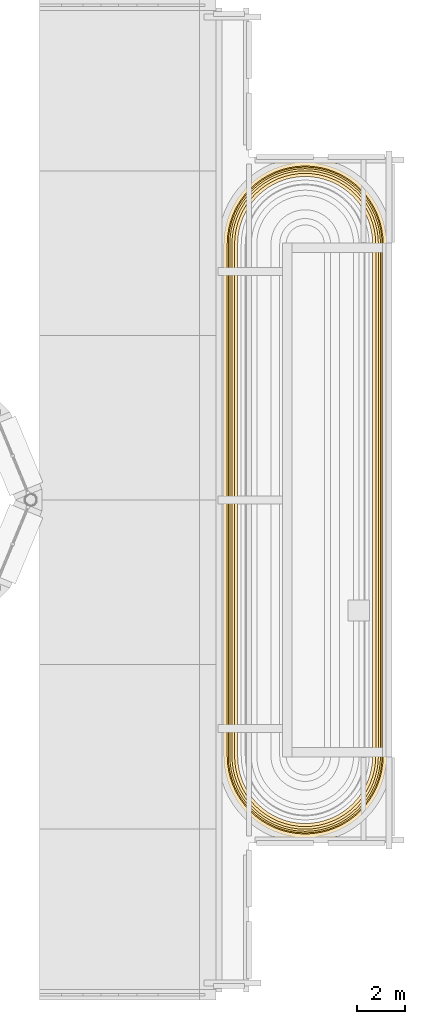
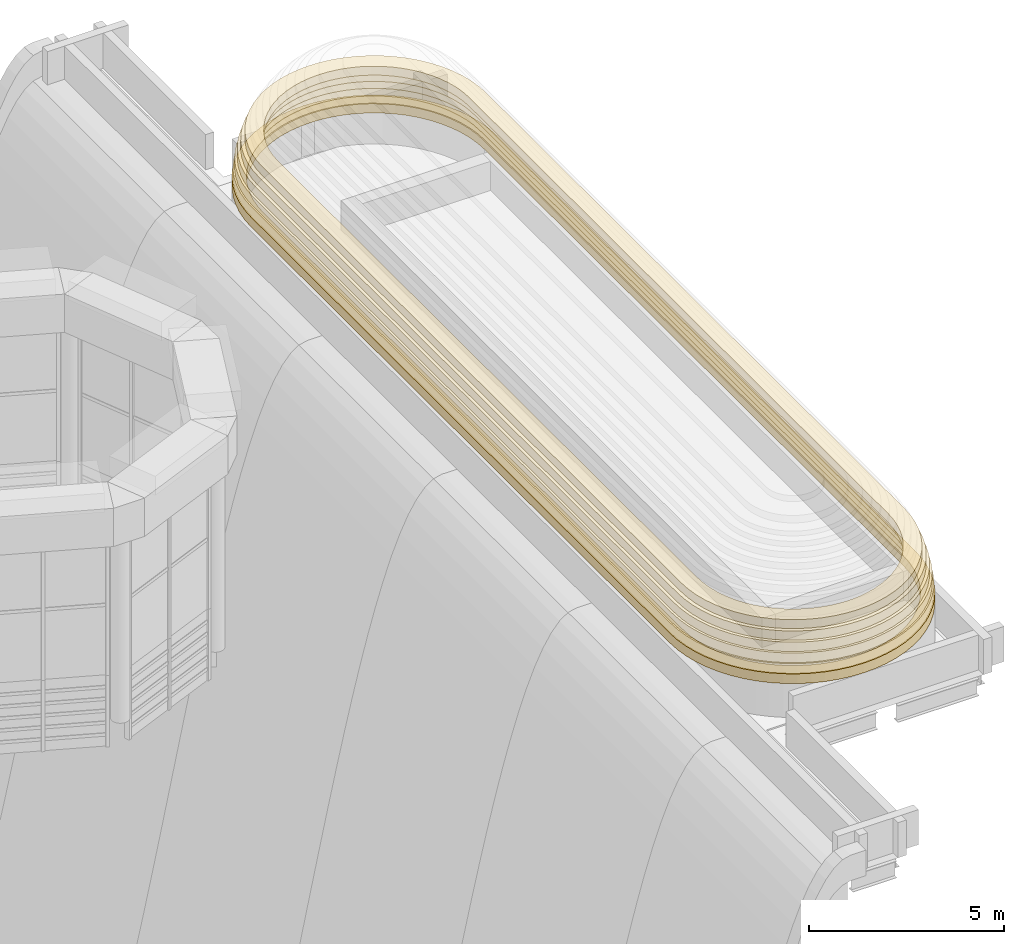
# One storey, part 12 of 14: 6 coverings.
"""IFC4 building model written with IfcOpenShell, lengths in metres."""

from ifc_helpers import new_model, si_unit, direction, frame, origin, place, context, subcontext, project, spatial, polyline, outline, extrude, material, layer, layer_set, type_object, element, save


model = new_model("IFC4")

# Units and contexts
model_context = context("Model", 3, precision=1e-05, world=origin(), true_north=direction((0.0, 1.0)))
body_context = subcontext(model_context, "Body", "Model", "MODEL_VIEW")
ifc_project = project(units=[si_unit("LENGTHUNIT", "METRE"), si_unit("AREAUNIT", "SQUARE_METRE"), si_unit("VOLUMEUNIT", "CUBIC_METRE"), si_unit("PLANEANGLEUNIT", "RADIAN"), si_unit("MASSUNIT", "GRAM", prefix="KILO")], contexts=[model_context])

# Site, building, storey
site_placement = place(None, origin())
site = spatial("IfcSite", under=ifc_project, at=site_placement, CompositionType="ELEMENT")
building_placement = place(site_placement, origin())
building = spatial("IfcBuilding", under=site, at=building_placement, Name="Cobrizo Arcos Hotel Tower", CompositionType="ELEMENT")
storey_placement = place(building_placement, frame((0.0, 0.0, 290.0)))
storey = spatial("IfcBuildingStorey", under=building, at=storey_placement, Name="RF", CompositionType="ELEMENT", Elevation=290.0)

# Coverings
ifc_material = material(Name="Aluminium 6063-T6 anodised pale", Category="aluminium")
ifc_layer = layer(ifc_material, 0.35009765625)
ifc_layer_set = layer_set([ifc_layer], Name="CB-7 shoulder roll course 350")
covering_type = type_object("IfcCoveringType", Name="CB-7 shoulder roll course 350", PredefinedType="CLADDING", material=ifc_layer_set)
covering_1_placement = place(storey_placement, frame((0.0, 0.0, 1.10009765625)))
element("IfcCovering", 1, at=covering_1_placement, inside=storey, type_object=covering_type, Name="Shoulder roll E course 1", PredefinedType="CLADDING", context=body_context, shape_type="SweptSolid", body=[
    extrude(outline(polyline([(13.102783203125, 10.75), (13.120361328125, 11.107421875), (13.1728515625, 11.46142578125), (13.260009765625, 11.80859375), (13.38037109375, 12.145751953125), (13.533447265625, 12.46923828125), (13.717529296875, 12.7763671875), (13.9306640625, 13.063720703125), (14.1708984375, 13.3291015625), (14.436279296875, 13.5693359375), (14.7236328125, 13.782470703125), (15.03076171875, 13.966552734375), (15.354248046875, 14.11962890625), (15.69140625, 14.239990234375), (16.03857421875, 14.3271484375), (16.392578125, 14.379638671875), (16.75, 14.397216796875), (17.107421875, 14.379638671875), (17.46142578125, 14.3271484375), (17.80859375, 14.239990234375), (18.145751953125, 14.11962890625), (18.46923828125, 13.966552734375), (18.7763671875, 13.782470703125), (19.063720703125, 13.5693359375), (19.3291015625, 13.3291015625), (19.5693359375, 13.063720703125), (19.782470703125, 12.7763671875), (19.966552734375, 12.46923828125), (20.11962890625, 12.145751953125), (20.239990234375, 11.80859375), (20.3271484375, 11.46142578125), (20.379638671875, 11.107421875), (20.397216796875, 10.75), (20.397216796875, -10.75), (20.379638671875, -11.107421875), (20.3271484375, -11.46142578125), (20.239990234375, -11.80859375), (20.11962890625, -12.145751953125), (19.966552734375, -12.46923828125), (19.782470703125, -12.7763671875), (19.5693359375, -13.063720703125), (19.3291015625, -13.3291015625), (19.063720703125, -13.5693359375), (18.7763671875, -13.782470703125), (18.46923828125, -13.966552734375), (18.145751953125, -14.11962890625), (17.80859375, -14.239990234375), (17.46142578125, -14.3271484375), (17.107421875, -14.379638671875), (16.75, -14.397216796875), (16.392578125, -14.379638671875), (16.03857421875, -14.3271484375), (15.69140625, -14.239990234375), (15.354248046875, -14.11962890625), (15.03076171875, -13.966552734375), (14.7236328125, -13.782470703125), (14.436279296875, -13.5693359375), (14.1708984375, -13.3291015625), (13.9306640625, -13.063720703125), (13.717529296875, -12.7763671875), (13.533447265625, -12.46923828125), (13.38037109375, -12.145751953125), (13.260009765625, -11.80859375), (13.1728515625, -11.46142578125), (13.120361328125, -11.107421875), (13.102783203125, -10.75), (13.102783203125, 10.75)]), holes=[polyline([(13.475341796875, 10.74072265625), (13.491455078125, 11.07080078125), (13.53857421875, 11.388916015625), (13.61669921875, 11.700439453125), (13.72509765625, 12.0029296875), (13.8623046875, 12.29345703125), (14.027587890625, 12.569091796875), (14.218994140625, 12.8271484375), (14.434814453125, 13.065185546875), (14.6728515625, 13.281005859375), (14.930908203125, 13.472412109375), (15.20654296875, 13.6376953125), (15.4970703125, 13.77490234375), (15.799560546875, 13.88330078125), (16.111083984375, 13.96142578125), (16.42919921875, 14.008544921875), (16.75, 14.0244140625), (17.07080078125, 14.008544921875), (17.388916015625, 13.96142578125), (17.700439453125, 13.88330078125), (18.0029296875, 13.77490234375), (18.29345703125, 13.6376953125), (18.569091796875, 13.472412109375), (18.8271484375, 13.281005859375), (19.065185546875, 13.065185546875), (19.281005859375, 12.8271484375), (19.472412109375, 12.569091796875), (19.6376953125, 12.29345703125), (19.77490234375, 12.0029296875), (19.88330078125, 11.700439453125), (19.96142578125, 11.388916015625), (20.008544921875, 11.07080078125), (20.024658203125, 10.74072265625), (20.024658203125, -10.74072265625), (20.008544921875, -11.07080078125), (19.96142578125, -11.388916015625), (19.88330078125, -11.700439453125), (19.77490234375, -12.0029296875), (19.6376953125, -12.29345703125), (19.472412109375, -12.569091796875), (19.281005859375, -12.8271484375), (19.065185546875, -13.065185546875), (18.8271484375, -13.281005859375), (18.569091796875, -13.472412109375), (18.29345703125, -13.6376953125), (18.0029296875, -13.77490234375), (17.700439453125, -13.88330078125), (17.388916015625, -13.96142578125), (17.07080078125, -14.008544921875), (16.75, -14.0244140625), (16.42919921875, -14.008544921875), (16.111083984375, -13.96142578125), (15.799560546875, -13.88330078125), (15.4970703125, -13.77490234375), (15.20654296875, -13.6376953125), (14.930908203125, -13.472412109375), (14.6728515625, -13.281005859375), (14.434814453125, -13.065185546875), (14.218994140625, -12.8271484375), (14.027587890625, -12.569091796875), (13.8623046875, -12.29345703125), (13.72509765625, -12.0029296875), (13.61669921875, -11.700439453125), (13.53857421875, -11.388916015625), (13.491455078125, -11.07080078125), (13.475341796875, -10.74072265625), (13.475341796875, 10.74072265625)])]), origin(), (0.0, 0.0, 1.0), 0.305908203125),
])
covering_2_placement = place(storey_placement, frame((0.0, 0.0, 1.406005859375)))
element("IfcCovering", 2, at=covering_2_placement, inside=storey, type_object=covering_type, Name="Shoulder roll E course 2", PredefinedType="CLADDING", context=body_context, shape_type="SweptSolid", body=[
    extrude(outline(polyline([(13.125244140625, 10.74951171875), (13.142578125, 11.105224609375), (13.19482421875, 11.45703125), (13.281494140625, 11.80224609375), (13.401123046875, 12.13720703125), (13.55322265625, 12.458740234375), (13.736083984375, 12.763916015625), (13.947998046875, 13.049560546875), (14.18701171875, 13.31298828125), (14.450439453125, 13.552001953125), (14.736083984375, 13.763916015625), (15.041259765625, 13.94677734375), (15.36279296875, 14.098876953125), (15.69775390625, 14.218505859375), (16.04296875, 14.30517578125), (16.394775390625, 14.357421875), (16.75, 14.374755859375), (17.105224609375, 14.357421875), (17.45703125, 14.30517578125), (17.80224609375, 14.218505859375), (18.13720703125, 14.098876953125), (18.458740234375, 13.94677734375), (18.763916015625, 13.763916015625), (19.049560546875, 13.552001953125), (19.31298828125, 13.31298828125), (19.552001953125, 13.049560546875), (19.763916015625, 12.763916015625), (19.94677734375, 12.458740234375), (20.098876953125, 12.13720703125), (20.218505859375, 11.80224609375), (20.30517578125, 11.45703125), (20.357421875, 11.105224609375), (20.374755859375, 10.74951171875), (20.374755859375, -10.74951171875), (20.357421875, -11.105224609375), (20.30517578125, -11.45703125), (20.218505859375, -11.80224609375), (20.098876953125, -12.13720703125), (19.94677734375, -12.458740234375), (19.763916015625, -12.763916015625), (19.552001953125, -13.049560546875), (19.31298828125, -13.31298828125), (19.049560546875, -13.552001953125), (18.763916015625, -13.763916015625), (18.458740234375, -13.94677734375), (18.13720703125, -14.098876953125), (17.80224609375, -14.218505859375), (17.45703125, -14.30517578125), (17.105224609375, -14.357421875), (16.75, -14.374755859375), (16.394775390625, -14.357421875), (16.04296875, -14.30517578125), (15.69775390625, -14.218505859375), (15.36279296875, -14.098876953125), (15.041259765625, -13.94677734375), (14.736083984375, -13.763916015625), (14.450439453125, -13.552001953125), (14.18701171875, -13.31298828125), (13.947998046875, -13.049560546875), (13.736083984375, -12.763916015625), (13.55322265625, -12.458740234375), (13.401123046875, -12.13720703125), (13.281494140625, -11.80224609375), (13.19482421875, -11.45703125), (13.142578125, -11.105224609375), (13.125244140625, -10.74951171875), (13.125244140625, 10.74951171875)]), holes=[polyline([(13.52001953125, 10.73974609375), (13.5361328125, 11.06640625), (13.58251953125, 11.3798828125), (13.65966796875, 11.6875), (13.766357421875, 11.98583984375), (13.90185546875, 12.2724609375), (14.064697265625, 12.544189453125), (14.253662109375, 12.798828125), (14.46630859375, 13.03369140625), (14.701171875, 13.246337890625), (14.955810546875, 13.435302734375), (15.2275390625, 13.59814453125), (15.51416015625, 13.733642578125), (15.8125, 13.84033203125), (16.1201171875, 13.91748046875), (16.43359375, 13.9638671875), (16.75, 13.9794921875), (17.06640625, 13.9638671875), (17.3798828125, 13.91748046875), (17.6875, 13.84033203125), (17.98583984375, 13.733642578125), (18.2724609375, 13.59814453125), (18.544189453125, 13.435302734375), (18.798828125, 13.246337890625), (19.03369140625, 13.03369140625), (19.246337890625, 12.798828125), (19.435302734375, 12.544189453125), (19.59814453125, 12.2724609375), (19.733642578125, 11.98583984375), (19.84033203125, 11.6875), (19.91748046875, 11.3798828125), (19.9638671875, 11.06640625), (19.97998046875, 10.73974609375), (19.97998046875, -10.73974609375), (19.9638671875, -11.06640625), (19.91748046875, -11.3798828125), (19.84033203125, -11.6875), (19.733642578125, -11.98583984375), (19.59814453125, -12.2724609375), (19.435302734375, -12.544189453125), (19.246337890625, -12.798828125), (19.03369140625, -13.03369140625), (18.798828125, -13.246337890625), (18.544189453125, -13.435302734375), (18.2724609375, -13.59814453125), (17.98583984375, -13.733642578125), (17.6875, -13.84033203125), (17.3798828125, -13.91748046875), (17.06640625, -13.9638671875), (16.75, -13.9794921875), (16.43359375, -13.9638671875), (16.1201171875, -13.91748046875), (15.8125, -13.84033203125), (15.51416015625, -13.733642578125), (15.2275390625, -13.59814453125), (14.955810546875, -13.435302734375), (14.701171875, -13.246337890625), (14.46630859375, -13.03369140625), (14.253662109375, -12.798828125), (14.064697265625, -12.544189453125), (13.90185546875, -12.2724609375), (13.766357421875, -11.98583984375), (13.65966796875, -11.6875), (13.58251953125, -11.3798828125), (13.5361328125, -11.06640625), (13.52001953125, -10.73974609375), (13.52001953125, 10.73974609375)])]), origin(), (0.0, 0.0, 1.0), 0.30419921875),
])
covering_3_placement = place(storey_placement, frame((0.0, 0.0, 1.710205078125)))
element("IfcCovering", 3, at=covering_3_placement, inside=storey, type_object=covering_type, Name="Shoulder roll E course 3", PredefinedType="CLADDING", context=body_context, shape_type="SweptSolid", body=[
    extrude(outline(polyline([(13.169921875, 10.748291015625), (13.187255859375, 11.100830078125), (13.239013671875, 11.448486328125), (13.32421875, 11.789306640625), (13.442626953125, 12.1201171875), (13.5927734375, 12.4375), (13.7734375, 12.739013671875), (13.982666015625, 13.02099609375), (14.218505859375, 13.281494140625), (14.47900390625, 13.517333984375), (14.760986328125, 13.7265625), (15.0625, 13.9072265625), (15.3798828125, 14.057373046875), (15.710693359375, 14.17578125), (16.051513671875, 14.260986328125), (16.399169921875, 14.312744140625), (16.75, 14.329833984375), (17.100830078125, 14.312744140625), (17.448486328125, 14.260986328125), (17.789306640625, 14.17578125), (18.1201171875, 14.057373046875), (18.4375, 13.9072265625), (18.739013671875, 13.7265625), (19.02099609375, 13.517333984375), (19.281494140625, 13.281494140625), (19.517333984375, 13.02099609375), (19.7265625, 12.739013671875), (19.9072265625, 12.4375), (20.057373046875, 12.1201171875), (20.17578125, 11.789306640625), (20.260986328125, 11.448486328125), (20.312744140625, 11.100830078125), (20.330078125, 10.748291015625), (20.330078125, -10.748291015625), (20.312744140625, -11.100830078125), (20.260986328125, -11.448486328125), (20.17578125, -11.789306640625), (20.057373046875, -12.1201171875), (19.9072265625, -12.4375), (19.7265625, -12.739013671875), (19.517333984375, -13.02099609375), (19.281494140625, -13.281494140625), (19.02099609375, -13.517333984375), (18.739013671875, -13.7265625), (18.4375, -13.9072265625), (18.1201171875, -14.057373046875), (17.789306640625, -14.17578125), (17.448486328125, -14.260986328125), (17.100830078125, -14.312744140625), (16.75, -14.329833984375), (16.399169921875, -14.312744140625), (16.051513671875, -14.260986328125), (15.710693359375, -14.17578125), (15.3798828125, -14.057373046875), (15.0625, -13.9072265625), (14.760986328125, -13.7265625), (14.47900390625, -13.517333984375), (14.218505859375, -13.281494140625), (13.982666015625, -13.02099609375), (13.7734375, -12.739013671875), (13.5927734375, -12.4375), (13.442626953125, -12.1201171875), (13.32421875, -11.789306640625), (13.239013671875, -11.448486328125), (13.187255859375, -11.100830078125), (13.169921875, -10.748291015625), (13.169921875, 10.748291015625)]), holes=[polyline([(13.5869140625, 10.738037109375), (13.6025390625, 11.06005859375), (13.648193359375, 11.366943359375), (13.7236328125, 11.668212890625), (13.828125, 11.960205078125), (13.960693359375, 12.24072265625), (14.120361328125, 12.507080078125), (14.305419921875, 12.75634765625), (14.513671875, 12.986328125), (14.74365234375, 13.194580078125), (14.992919921875, 13.379638671875), (15.25927734375, 13.539306640625), (15.539794921875, 13.671875), (15.831787109375, 13.7763671875), (16.133056640625, 13.851806640625), (16.43994140625, 13.8974609375), (16.75, 13.91259765625), (17.06005859375, 13.8974609375), (17.366943359375, 13.851806640625), (17.668212890625, 13.7763671875), (17.960205078125, 13.671875), (18.24072265625, 13.539306640625), (18.507080078125, 13.379638671875), (18.75634765625, 13.194580078125), (18.986328125, 12.986328125), (19.194580078125, 12.75634765625), (19.379638671875, 12.507080078125), (19.539306640625, 12.24072265625), (19.671875, 11.960205078125), (19.7763671875, 11.668212890625), (19.851806640625, 11.366943359375), (19.8974609375, 11.06005859375), (19.9130859375, 10.738037109375), (19.9130859375, -10.738037109375), (19.8974609375, -11.06005859375), (19.851806640625, -11.366943359375), (19.7763671875, -11.668212890625), (19.671875, -11.960205078125), (19.539306640625, -12.24072265625), (19.379638671875, -12.507080078125), (19.194580078125, -12.75634765625), (18.986328125, -12.986328125), (18.75634765625, -13.194580078125), (18.507080078125, -13.379638671875), (18.24072265625, -13.539306640625), (17.960205078125, -13.671875), (17.668212890625, -13.7763671875), (17.366943359375, -13.851806640625), (17.06005859375, -13.8974609375), (16.75, -13.91259765625), (16.43994140625, -13.8974609375), (16.133056640625, -13.851806640625), (15.831787109375, -13.7763671875), (15.539794921875, -13.671875), (15.25927734375, -13.539306640625), (14.992919921875, -13.379638671875), (14.74365234375, -13.194580078125), (14.513671875, -12.986328125), (14.305419921875, -12.75634765625), (14.120361328125, -12.507080078125), (13.960693359375, -12.24072265625), (13.828125, -11.960205078125), (13.7236328125, -11.668212890625), (13.648193359375, -11.366943359375), (13.6025390625, -11.06005859375), (13.5869140625, -10.738037109375), (13.5869140625, 10.738037109375)])]), origin(), (0.0, 0.0, 1.0), 0.30029296875),
])
covering_4_placement = place(storey_placement, frame((0.0, 0.0, 2.010498046875)))
element("IfcCovering", 4, at=covering_4_placement, inside=storey, type_object=covering_type, Name="Shoulder roll E course 4", PredefinedType="CLADDING", context=body_context, shape_type="SweptSolid", body=[
    extrude(outline(polyline([(13.23681640625, 10.74658203125), (13.25390625, 11.09423828125), (13.304443359375, 11.435302734375), (13.38818359375, 11.769775390625), (13.50439453125, 12.094482421875), (13.65185546875, 12.406005859375), (13.8291015625, 12.70166015625), (14.034423828125, 12.978515625), (14.265869140625, 13.234130859375), (14.521484375, 13.465576171875), (14.79833984375, 13.6708984375), (15.093994140625, 13.84814453125), (15.405517578125, 13.99560546875), (15.730224609375, 14.11181640625), (16.064697265625, 14.195556640625), (16.40576171875, 14.24609375), (16.75, 14.262939453125), (17.09423828125, 14.24609375), (17.435302734375, 14.195556640625), (17.769775390625, 14.11181640625), (18.094482421875, 13.99560546875), (18.406005859375, 13.84814453125), (18.70166015625, 13.6708984375), (18.978515625, 13.465576171875), (19.234130859375, 13.234130859375), (19.465576171875, 12.978515625), (19.6708984375, 12.70166015625), (19.84814453125, 12.406005859375), (19.99560546875, 12.094482421875), (20.11181640625, 11.769775390625), (20.195556640625, 11.435302734375), (20.24609375, 11.09423828125), (20.26318359375, 10.74658203125), (20.26318359375, -10.74658203125), (20.24609375, -11.09423828125), (20.195556640625, -11.435302734375), (20.11181640625, -11.769775390625), (19.99560546875, -12.094482421875), (19.84814453125, -12.406005859375), (19.6708984375, -12.70166015625), (19.465576171875, -12.978515625), (19.234130859375, -13.234130859375), (18.978515625, -13.465576171875), (18.70166015625, -13.6708984375), (18.406005859375, -13.84814453125), (18.094482421875, -13.99560546875), (17.769775390625, -14.11181640625), (17.435302734375, -14.195556640625), (17.09423828125, -14.24609375), (16.75, -14.262939453125), (16.40576171875, -14.24609375), (16.064697265625, -14.195556640625), (15.730224609375, -14.11181640625), (15.405517578125, -13.99560546875), (15.093994140625, -13.84814453125), (14.79833984375, -13.6708984375), (14.521484375, -13.465576171875), (14.265869140625, -13.234130859375), (14.034423828125, -12.978515625), (13.8291015625, -12.70166015625), (13.65185546875, -12.406005859375), (13.50439453125, -12.094482421875), (13.38818359375, -11.769775390625), (13.304443359375, -11.435302734375), (13.25390625, -11.09423828125), (13.23681640625, -10.74658203125), (13.23681640625, 10.74658203125)]), holes=[polyline([(13.67529296875, 10.73583984375), (13.690673828125, 11.05126953125), (13.735107421875, 11.349609375), (13.808349609375, 11.642333984375), (13.909912109375, 11.926513671875), (14.038818359375, 12.19921875), (14.194091796875, 12.4580078125), (14.373779296875, 12.7001953125), (14.576416015625, 12.923583984375), (14.7998046875, 13.126220703125), (15.0419921875, 13.305908203125), (15.30078125, 13.461181640625), (15.573486328125, 13.590087890625), (15.857666015625, 13.691650390625), (16.150390625, 13.764892578125), (16.44873046875, 13.809326171875), (16.75, 13.82421875), (17.05126953125, 13.809326171875), (17.349609375, 13.764892578125), (17.642333984375, 13.691650390625), (17.926513671875, 13.590087890625), (18.19921875, 13.461181640625), (18.4580078125, 13.305908203125), (18.7001953125, 13.126220703125), (18.923583984375, 12.923583984375), (19.126220703125, 12.7001953125), (19.305908203125, 12.4580078125), (19.461181640625, 12.19921875), (19.590087890625, 11.926513671875), (19.691650390625, 11.642333984375), (19.764892578125, 11.349609375), (19.809326171875, 11.05126953125), (19.82470703125, 10.73583984375), (19.82470703125, -10.73583984375), (19.809326171875, -11.05126953125), (19.764892578125, -11.349609375), (19.691650390625, -11.642333984375), (19.590087890625, -11.926513671875), (19.461181640625, -12.19921875), (19.305908203125, -12.4580078125), (19.126220703125, -12.7001953125), (18.923583984375, -12.923583984375), (18.7001953125, -13.126220703125), (18.4580078125, -13.305908203125), (18.19921875, -13.461181640625), (17.926513671875, -13.590087890625), (17.642333984375, -13.691650390625), (17.349609375, -13.764892578125), (17.05126953125, -13.809326171875), (16.75, -13.82421875), (16.44873046875, -13.809326171875), (16.150390625, -13.764892578125), (15.857666015625, -13.691650390625), (15.573486328125, -13.590087890625), (15.30078125, -13.461181640625), (15.0419921875, -13.305908203125), (14.7998046875, -13.126220703125), (14.576416015625, -12.923583984375), (14.373779296875, -12.7001953125), (14.194091796875, -12.4580078125), (14.038818359375, -12.19921875), (13.909912109375, -11.926513671875), (13.808349609375, -11.642333984375), (13.735107421875, -11.349609375), (13.690673828125, -11.05126953125), (13.67529296875, -10.73583984375), (13.67529296875, 10.73583984375)])]), origin(), (0.0, 0.0, 1.0), 0.294677734375),
])
covering_5_placement = place(storey_placement, frame((0.0, 0.0, 2.30517578125)))
element("IfcCovering", 5, at=covering_5_placement, inside=storey, type_object=covering_type, Name="Shoulder roll E course 5", PredefinedType="CLADDING", context=body_context, shape_type="SweptSolid", body=[
    extrude(outline(polyline([(13.3251953125, 10.744384765625), (13.342041015625, 11.085693359375), (13.391357421875, 11.418212890625), (13.472900390625, 11.744140625), (13.586181640625, 12.060546875), (13.72998046875, 12.3642578125), (13.902587890625, 12.652587890625), (14.102783203125, 12.922607421875), (14.32861328125, 13.17138671875), (14.577392578125, 13.397216796875), (14.847412109375, 13.597412109375), (15.1357421875, 13.77001953125), (15.439453125, 13.913818359375), (15.755859375, 14.027099609375), (16.081787109375, 14.108642578125), (16.414306640625, 14.157958984375), (16.75, 14.174560546875), (17.085693359375, 14.157958984375), (17.418212890625, 14.108642578125), (17.744140625, 14.027099609375), (18.060546875, 13.913818359375), (18.3642578125, 13.77001953125), (18.652587890625, 13.597412109375), (18.922607421875, 13.397216796875), (19.17138671875, 13.17138671875), (19.397216796875, 12.922607421875), (19.597412109375, 12.652587890625), (19.77001953125, 12.3642578125), (19.913818359375, 12.060546875), (20.027099609375, 11.744140625), (20.108642578125, 11.418212890625), (20.157958984375, 11.085693359375), (20.1748046875, 10.744384765625), (20.1748046875, -10.744384765625), (20.157958984375, -11.085693359375), (20.108642578125, -11.418212890625), (20.027099609375, -11.744140625), (19.913818359375, -12.060546875), (19.77001953125, -12.3642578125), (19.597412109375, -12.652587890625), (19.397216796875, -12.922607421875), (19.17138671875, -13.17138671875), (18.922607421875, -13.397216796875), (18.652587890625, -13.597412109375), (18.3642578125, -13.77001953125), (18.060546875, -13.913818359375), (17.744140625, -14.027099609375), (17.418212890625, -14.108642578125), (17.085693359375, -14.157958984375), (16.75, -14.174560546875), (16.414306640625, -14.157958984375), (16.081787109375, -14.108642578125), (15.755859375, -14.027099609375), (15.439453125, -13.913818359375), (15.1357421875, -13.77001953125), (14.847412109375, -13.597412109375), (14.577392578125, -13.397216796875), (14.32861328125, -13.17138671875), (14.102783203125, -12.922607421875), (13.902587890625, -12.652587890625), (13.72998046875, -12.3642578125), (13.586181640625, -12.060546875), (13.472900390625, -11.744140625), (13.391357421875, -11.418212890625), (13.342041015625, -11.085693359375), (13.3251953125, -10.744384765625), (13.3251953125, 10.744384765625)]), holes=[polyline([(13.78466796875, 10.733154296875), (13.7998046875, 11.04052734375), (13.842529296875, 11.328369140625), (13.9130859375, 11.610595703125), (14.01123046875, 11.884521484375), (14.135498046875, 12.1474609375), (14.28515625, 12.39697265625), (14.45849609375, 12.630615234375), (14.65380859375, 12.84619140625), (14.869384765625, 13.04150390625), (15.10302734375, 13.21484375), (15.3525390625, 13.364501953125), (15.615478515625, 13.48876953125), (15.889404296875, 13.5869140625), (16.171630859375, 13.657470703125), (16.45947265625, 13.7001953125), (16.75, 13.71435546875), (17.04052734375, 13.7001953125), (17.328369140625, 13.657470703125), (17.610595703125, 13.5869140625), (17.884521484375, 13.48876953125), (18.1474609375, 13.364501953125), (18.39697265625, 13.21484375), (18.630615234375, 13.04150390625), (18.84619140625, 12.84619140625), (19.04150390625, 12.630615234375), (19.21484375, 12.39697265625), (19.364501953125, 12.1474609375), (19.48876953125, 11.884521484375), (19.5869140625, 11.610595703125), (19.657470703125, 11.328369140625), (19.7001953125, 11.04052734375), (19.71533203125, 10.733154296875), (19.71533203125, -10.733154296875), (19.7001953125, -11.04052734375), (19.657470703125, -11.328369140625), (19.5869140625, -11.610595703125), (19.48876953125, -11.884521484375), (19.364501953125, -12.1474609375), (19.21484375, -12.39697265625), (19.04150390625, -12.630615234375), (18.84619140625, -12.84619140625), (18.630615234375, -13.04150390625), (18.39697265625, -13.21484375), (18.1474609375, -13.364501953125), (17.884521484375, -13.48876953125), (17.610595703125, -13.5869140625), (17.328369140625, -13.657470703125), (17.04052734375, -13.7001953125), (16.75, -13.71435546875), (16.45947265625, -13.7001953125), (16.171630859375, -13.657470703125), (15.889404296875, -13.5869140625), (15.615478515625, -13.48876953125), (15.3525390625, -13.364501953125), (15.10302734375, -13.21484375), (14.869384765625, -13.04150390625), (14.65380859375, -12.84619140625), (14.45849609375, -12.630615234375), (14.28515625, -12.39697265625), (14.135498046875, -12.1474609375), (14.01123046875, -11.884521484375), (13.9130859375, -11.610595703125), (13.842529296875, -11.328369140625), (13.7998046875, -11.04052734375), (13.78466796875, -10.733154296875), (13.78466796875, 10.733154296875)])]), origin(), (0.0, 0.0, 1.0), 0.287353515625),
])
covering_6_placement = place(storey_placement, frame((0.0, 0.0, 2.592529296875)))
element("IfcCovering", 6, at=covering_6_placement, inside=storey, type_object=covering_type, Name="Shoulder roll E course 6", PredefinedType="CLADDING", context=body_context, shape_type="SweptSolid", body=[
    extrude(outline(polyline([(13.434814453125, 10.74169921875), (13.451171875, 11.074951171875), (13.498779296875, 11.396728515625), (13.577880859375, 11.71240234375), (13.6875, 12.0185546875), (13.82666015625, 12.3125), (13.993896484375, 12.591552734375), (14.1875, 12.852783203125), (14.406005859375, 13.093994140625), (14.647216796875, 13.3125), (14.908447265625, 13.506103515625), (15.1875, 13.67333984375), (15.4814453125, 13.8125), (15.78759765625, 13.922119140625), (16.103271484375, 14.001220703125), (16.425048828125, 14.048828125), (16.75, 14.06494140625), (17.074951171875, 14.048828125), (17.396728515625, 14.001220703125), (17.71240234375, 13.922119140625), (18.0185546875, 13.8125), (18.3125, 13.67333984375), (18.591552734375, 13.506103515625), (18.852783203125, 13.3125), (19.093994140625, 13.093994140625), (19.3125, 12.852783203125), (19.506103515625, 12.591552734375), (19.67333984375, 12.3125), (19.8125, 12.0185546875), (19.922119140625, 11.71240234375), (20.001220703125, 11.396728515625), (20.048828125, 11.074951171875), (20.065185546875, 10.74169921875), (20.065185546875, -10.74169921875), (20.048828125, -11.074951171875), (20.001220703125, -11.396728515625), (19.922119140625, -11.71240234375), (19.8125, -12.0185546875), (19.67333984375, -12.3125), (19.506103515625, -12.591552734375), (19.3125, -12.852783203125), (19.093994140625, -13.093994140625), (18.852783203125, -13.3125), (18.591552734375, -13.506103515625), (18.3125, -13.67333984375), (18.0185546875, -13.8125), (17.71240234375, -13.922119140625), (17.396728515625, -14.001220703125), (17.074951171875, -14.048828125), (16.75, -14.06494140625), (16.425048828125, -14.048828125), (16.103271484375, -14.001220703125), (15.78759765625, -13.922119140625), (15.4814453125, -13.8125), (15.1875, -13.67333984375), (14.908447265625, -13.506103515625), (14.647216796875, -13.3125), (14.406005859375, -13.093994140625), (14.1875, -12.852783203125), (13.993896484375, -12.591552734375), (13.82666015625, -12.3125), (13.6875, -12.0185546875), (13.577880859375, -11.71240234375), (13.498779296875, -11.396728515625), (13.451171875, -11.074951171875), (13.434814453125, -10.74169921875), (13.434814453125, 10.74169921875)]), holes=[polyline([(13.91455078125, 10.72998046875), (13.92919921875, 11.02783203125), (13.97021484375, 11.302978515625), (14.03759765625, 11.57275390625), (14.13134765625, 11.834716796875), (14.250244140625, 12.086181640625), (14.393310546875, 12.32470703125), (14.55908203125, 12.548095703125), (14.745849609375, 12.754150390625), (14.951904296875, 12.94091796875), (15.17529296875, 13.106689453125), (15.413818359375, 13.249755859375), (15.665283203125, 13.36865234375), (15.92724609375, 13.46240234375), (16.197021484375, 13.52978515625), (16.47216796875, 13.57080078125), (16.75, 13.58447265625), (17.02783203125, 13.57080078125), (17.302978515625, 13.52978515625), (17.57275390625, 13.46240234375), (17.834716796875, 13.36865234375), (18.086181640625, 13.249755859375), (18.32470703125, 13.106689453125), (18.548095703125, 12.94091796875), (18.754150390625, 12.754150390625), (18.94091796875, 12.548095703125), (19.106689453125, 12.32470703125), (19.249755859375, 12.086181640625), (19.36865234375, 11.834716796875), (19.46240234375, 11.57275390625), (19.52978515625, 11.302978515625), (19.57080078125, 11.02783203125), (19.58544921875, 10.72998046875), (19.58544921875, -10.72998046875), (19.57080078125, -11.02783203125), (19.52978515625, -11.302978515625), (19.46240234375, -11.57275390625), (19.36865234375, -11.834716796875), (19.249755859375, -12.086181640625), (19.106689453125, -12.32470703125), (18.94091796875, -12.548095703125), (18.754150390625, -12.754150390625), (18.548095703125, -12.94091796875), (18.32470703125, -13.106689453125), (18.086181640625, -13.249755859375), (17.834716796875, -13.36865234375), (17.57275390625, -13.46240234375), (17.302978515625, -13.52978515625), (17.02783203125, -13.57080078125), (16.75, -13.58447265625), (16.47216796875, -13.57080078125), (16.197021484375, -13.52978515625), (15.92724609375, -13.46240234375), (15.665283203125, -13.36865234375), (15.413818359375, -13.249755859375), (15.17529296875, -13.106689453125), (14.951904296875, -12.94091796875), (14.745849609375, -12.754150390625), (14.55908203125, -12.548095703125), (14.393310546875, -12.32470703125), (14.250244140625, -12.086181640625), (14.13134765625, -11.834716796875), (14.03759765625, -11.57275390625), (13.97021484375, -11.302978515625), (13.92919921875, -11.02783203125), (13.91455078125, -10.72998046875), (13.91455078125, 10.72998046875)])]), origin(), (0.0, 0.0, 1.0), 0.278076171875),
])

save(model, "model.ifc")
